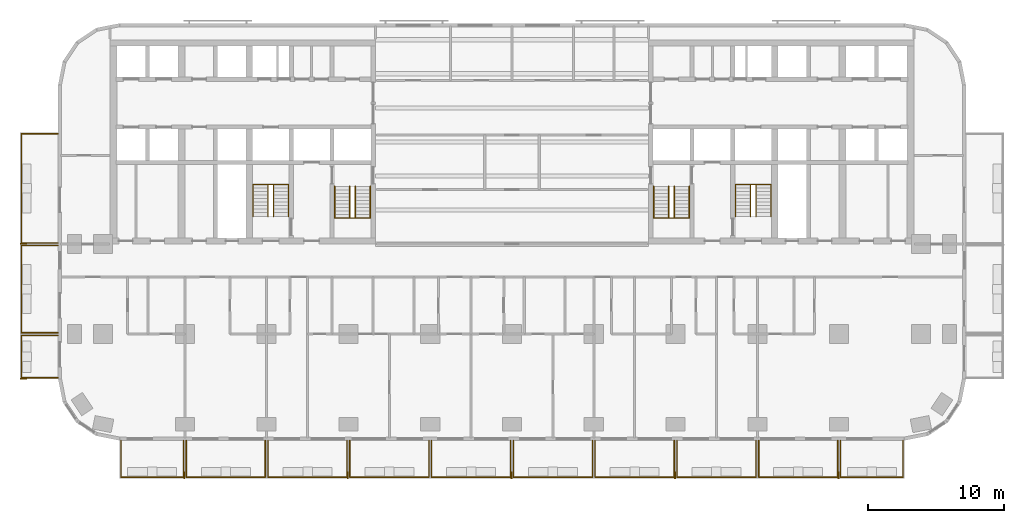
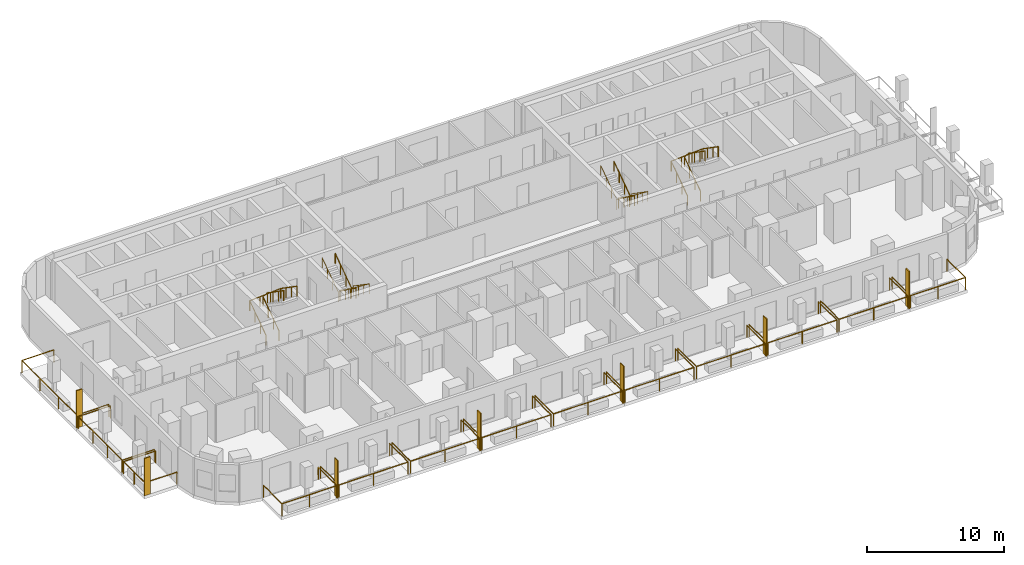
# One storey, part 11 of 13: 21 railings, 7 shading devices.
"""IFC4 building model written with IfcOpenShell, lengths in metres."""

from ifc_helpers import new_model, si_unit, direction, frame, origin, origin_2d, place, context, subcontext, project, spatial, rectangle, circle, extrude, material, layer, layer_set, type_object, element, save


model = new_model("IFC4")

# Units and contexts
model_context = context("Model", 3, precision=1e-05, world=origin(), true_north=direction((0.0, 1.0)))
body_context = subcontext(model_context, "Body", "Model", "MODEL_VIEW")
ifc_project = project(units=[si_unit("LENGTHUNIT", "METRE"), si_unit("AREAUNIT", "SQUARE_METRE"), si_unit("VOLUMEUNIT", "CUBIC_METRE"), si_unit("PLANEANGLEUNIT", "RADIAN"), si_unit("MASSUNIT", "GRAM", prefix="KILO")], contexts=[model_context])

# Site, building, storey
site_placement = place(None, origin())
site = spatial("IfcSite", under=ifc_project, at=site_placement, CompositionType="ELEMENT")
building_placement = place(site_placement, origin())
building = spatial("IfcBuilding", under=site, at=building_placement, Name="Torana Hotel and Residences", CompositionType="ELEMENT")
storey_placement = place(building_placement, frame((0.0, 0.0, 78.0)))
storey = spatial("IfcBuildingStorey", under=building, at=storey_placement, Name="L19", CompositionType="ELEMENT", Elevation=78.0)

# Shading devices
ifc_material_1 = material(Name="Black powder coated aluminium", Category="aluminium")
ifc_layer = layer(ifc_material_1, 0.080078125)
ifc_layer_set = layer_set([ifc_layer], Name="FN1 VERTICAL FIN 500x80")
shading_device_type = type_object("IfcShadingDeviceType", Name="FN1 VERTICAL FIN 500x80", PredefinedType="USERDEFINED", material=ifc_layer_set)
for number, where, z_axis, x_axis, name in (
    (1, (-24.0400390625, -31.949951171875, 0.0), (0.0, 0.0, 1.0), (-1.0, 0.0, 0.0), "Fin 01"),
    (2, (-12.0400390625, -31.949951171875, 0.0), (0.0, 0.0, 1.0), (-1.0, 0.0, 0.0), "Fin 03"),
    (3, (-0.0400390625, -31.949951171875, 0.0), (0.0, 0.0, 1.0), (-1.0, 0.0, 0.0), "Fin 05"),
    (4, (11.9599609375, -31.949951171875, 0.0), (0.0, 0.0, 1.0), (-1.0, 0.0, 0.0), "Fin 07"),
    (5, (23.9599609375, -31.949951171875, 0.0), (0.0, 0.0, 1.0), (-1.0, 0.0, 0.0), "Fin 09"),
    (6, (-35.85009765625, -24.860107421875, 0.0), (0.0, 0.0, 1.0), (0.0, 1.0, 0.0), "Fin 11"),
    (7, (-35.85009765625, -14.9599609375, 0.0), (0.0, 0.0, 1.0), (0.0, 1.0, 0.0), "Fin 13"),
):
    element("IfcShadingDevice", number, at=place(storey_placement, frame(where, z_axis=z_axis, x_axis=x_axis)), inside=storey, type_object=shading_device_type, Name=name, ObjectType="FIN", PredefinedType="USERDEFINED", context=body_context, shape_type="SweptSolid", body=[
        extrude(rectangle(XDim=0.080078125, YDim=0.5, at=origin_2d()), origin(), (0.0, 0.0, 1.0), 3.320068359375),
    ])

# Railings
ifc_material_2 = material(Name="Laminated glass balustrade with black handrail", Category="glass")
railing_type_1 = type_object("IfcRailingType", Name="GR1 BALCONY GUARD 1100 GLASS", PredefinedType="GUARDRAIL", material=ifc_material_2)
railing_1_placement = place(storey_placement, frame((-24.10009765625, -29.39990234375, 0.0)))
element("IfcRailing", 8, at=railing_1_placement, inside=storey, type_object=railing_type_1, Name="Balcony guard 01", PredefinedType="GUARDRAIL", context=body_context, shape_type="SweptSolid", body=[
    extrude(circle(Radius=0.02392578125, at=origin_2d()), frame((0.0, 0.0, 1.076171875), z_axis=(0.0, -1.0, 0.0), x_axis=(1.0, 0.0, 0.0)), (0.0, 0.0, 1.0), 2.7001953125),
    extrude(circle(Radius=0.02392578125, at=origin_2d()), frame((0.0, -2.7001953125, 1.076171875), z_axis=(-1.0, 0.0, 0.0), x_axis=(0.0, -1.0, 0.0)), (0.0, 0.0, 1.0), 4.599853515625),
    extrude(circle(Radius=0.02392578125, at=origin_2d()), frame((-4.599853515625, -2.7001953125, 1.076171875), z_axis=(0.0, 1.0, 0.0), x_axis=(-1.0, 0.0, 0.0)), (0.0, 0.0, 1.0), 2.7001953125),
    extrude(circle(Radius=0.02099609375, at=origin_2d()), origin(), (0.0, 0.0, 1.0), 1.052001953125),
    extrude(circle(Radius=0.02099609375, at=origin_2d()), frame((0.0, -2.7001953125, 0.0)), (0.0, 0.0, 1.0), 1.052001953125),
    extrude(circle(Radius=0.02099609375, at=origin_2d()), frame((-2.2998046875, -2.7001953125, 0.0)), (0.0, 0.0, 1.0), 1.052001953125),
    extrude(circle(Radius=0.02099609375, at=origin_2d()), frame((-4.599853515625, -2.7001953125, 0.0)), (0.0, 0.0, 1.0), 1.052001953125),
    extrude(circle(Radius=0.02099609375, at=origin_2d()), frame((-4.599853515625, 0.0, 0.0)), (0.0, 0.0, 1.0), 1.052001953125),
])
for number, where, name in (
    (9, (-18.10009765625, -29.39990234375, 0.0), "Balcony guard 02"),
    (10, (-12.10009765625, -29.39990234375, 0.0), "Balcony guard 03"),
    (11, (-6.10009765625, -29.39990234375, 0.0), "Balcony guard 04"),
    (12, (-0.10009765625, -29.39990234375, 0.0), "Balcony guard 05"),
    (13, (5.89990234375, -29.39990234375, 0.0), "Balcony guard 06"),
    (14, (11.89990234375, -29.39990234375, 0.0), "Balcony guard 07"),
    (15, (17.89990234375, -29.39990234375, 0.0), "Balcony guard 08"),
    (16, (23.89990234375, -29.39990234375, 0.0), "Balcony guard 09"),
):
    element("IfcRailing", number, at=place(storey_placement, frame(where)), inside=storey, type_object=railing_type_1, Name=name, PredefinedType="GUARDRAIL", context=body_context, shape_type="SweptSolid", body=[
        extrude(circle(Radius=0.02392578125, at=origin_2d()), frame((0.0, 0.0, 1.076171875), z_axis=(0.0, -1.0, 0.0), x_axis=(1.0, 0.0, 0.0)), (0.0, 0.0, 1.0), 2.7001953125),
        extrude(circle(Radius=0.02392578125, at=origin_2d()), frame((0.0, -2.7001953125, 1.076171875), z_axis=(-1.0, 0.0, 0.0), x_axis=(0.0, -1.0, 0.0)), (0.0, 0.0, 1.0), 5.7998046875),
        extrude(circle(Radius=0.02392578125, at=origin_2d()), frame((-5.7998046875, -2.7001953125, 1.076171875), z_axis=(0.0, 1.0, 0.0), x_axis=(-1.0, 0.0, 0.0)), (0.0, 0.0, 1.0), 2.7001953125),
        extrude(circle(Radius=0.02099609375, at=origin_2d()), origin(), (0.0, 0.0, 1.0), 1.052001953125),
        extrude(circle(Radius=0.02099609375, at=origin_2d()), frame((0.0, -2.7001953125, 0.0)), (0.0, 0.0, 1.0), 1.052001953125),
        extrude(circle(Radius=0.02099609375, at=origin_2d()), frame((-2.89990234375, -2.7001953125, 0.0)), (0.0, 0.0, 1.0), 1.052001953125),
        extrude(circle(Radius=0.02099609375, at=origin_2d()), frame((-5.7998046875, -2.7001953125, 0.0)), (0.0, 0.0, 1.0), 1.052001953125),
        extrude(circle(Radius=0.02099609375, at=origin_2d()), frame((-5.7998046875, 0.0, 0.0)), (0.0, 0.0, 1.0), 1.052001953125),
    ])
railing_2_placement = place(storey_placement, frame((28.699951171875, -29.39990234375, 0.0)))
element("IfcRailing", 17, at=railing_2_placement, inside=storey, type_object=railing_type_1, Name="Balcony guard 10", PredefinedType="GUARDRAIL", context=body_context, shape_type="SweptSolid", body=[
    extrude(circle(Radius=0.02392578125, at=origin_2d()), frame((0.0, 0.0, 1.076171875), z_axis=(0.0, -1.0, 0.0), x_axis=(1.0, 0.0, 0.0)), (0.0, 0.0, 1.0), 2.7001953125),
    extrude(circle(Radius=0.02392578125, at=origin_2d()), frame((0.0, -2.7001953125, 1.076171875), z_axis=(-1.0, 0.0, 0.0), x_axis=(0.0, -1.0, 0.0)), (0.0, 0.0, 1.0), 4.599853515625),
    extrude(circle(Radius=0.02392578125, at=origin_2d()), frame((-4.599853515625, -2.7001953125, 1.076171875), z_axis=(0.0, 1.0, 0.0), x_axis=(-1.0, 0.0, 0.0)), (0.0, 0.0, 1.0), 2.7001953125),
    extrude(circle(Radius=0.02099609375, at=origin_2d()), origin(), (0.0, 0.0, 1.0), 1.052001953125),
    extrude(circle(Radius=0.02099609375, at=origin_2d()), frame((0.0, -2.7001953125, 0.0)), (0.0, 0.0, 1.0), 1.052001953125),
    extrude(circle(Radius=0.02099609375, at=origin_2d()), frame((-2.2998046875, -2.7001953125, 0.0)), (0.0, 0.0, 1.0), 1.052001953125),
    extrude(circle(Radius=0.02099609375, at=origin_2d()), frame((-4.599853515625, -2.7001953125, 0.0)), (0.0, 0.0, 1.0), 1.052001953125),
    extrude(circle(Radius=0.02099609375, at=origin_2d()), frame((-4.599853515625, 0.0, 0.0)), (0.0, 0.0, 1.0), 1.052001953125),
])
railing_3_placement = place(storey_placement, frame((-33.300048828125, -24.800048828125, 0.0)))
element("IfcRailing", 18, at=railing_3_placement, inside=storey, type_object=railing_type_1, Name="Balcony guard 11", PredefinedType="GUARDRAIL", context=body_context, shape_type="SweptSolid", body=[
    extrude(circle(Radius=0.02392578125, at=origin_2d()), frame((0.0, 0.0, 1.076171875), z_axis=(-1.0, 0.0, 0.0), x_axis=(0.0, -1.0, 0.0)), (0.0, 0.0, 1.0), 2.699951171875),
    extrude(circle(Radius=0.02392578125, at=origin_2d()), frame((-2.699951171875, 0.0, 1.076171875), z_axis=(0.0, 1.0, 0.0), x_axis=(-1.0, 0.0, 0.0)), (0.0, 0.0, 1.0), 3.10009765625),
    extrude(circle(Radius=0.02392578125, at=origin_2d()), frame((-2.699951171875, 3.10009765625, 1.076171875), z_axis=(1.0, 0.0, 0.0), x_axis=(0.0, 1.0, 0.0)), (0.0, 0.0, 1.0), 2.699951171875),
    extrude(circle(Radius=0.02099609375, at=origin_2d()), origin(), (0.0, 0.0, 1.0), 1.052001953125),
    extrude(circle(Radius=0.02099609375, at=origin_2d()), frame((-2.699951171875, 0.0, 0.0)), (0.0, 0.0, 1.0), 1.052001953125),
    extrude(circle(Radius=0.02099609375, at=origin_2d()), frame((-2.699951171875, 1.550048828125, 0.0)), (0.0, 0.0, 1.0), 1.052001953125),
    extrude(circle(Radius=0.02099609375, at=origin_2d()), frame((-2.699951171875, 3.10009765625, 0.0)), (0.0, 0.0, 1.0), 1.052001953125),
    extrude(circle(Radius=0.02099609375, at=origin_2d()), frame((0.0, 3.10009765625, 0.0)), (0.0, 0.0, 1.0), 1.052001953125),
])
railing_4_placement = place(storey_placement, frame((-33.300048828125, -21.5, 0.0)))
element("IfcRailing", 19, at=railing_4_placement, inside=storey, type_object=railing_type_1, Name="Balcony guard 12", PredefinedType="GUARDRAIL", context=body_context, shape_type="SweptSolid", body=[
    extrude(circle(Radius=0.02392578125, at=origin_2d()), frame((0.0, 0.0, 1.076171875), z_axis=(-1.0, 0.0, 0.0), x_axis=(0.0, -1.0, 0.0)), (0.0, 0.0, 1.0), 2.699951171875),
    extrude(circle(Radius=0.02392578125, at=origin_2d()), frame((-2.699951171875, 0.0, 1.076171875), z_axis=(0.0, 1.0, 0.0), x_axis=(-1.0, 0.0, 0.0)), (0.0, 0.0, 1.0), 6.39990234375),
    extrude(circle(Radius=0.02392578125, at=origin_2d()), frame((-2.699951171875, 6.39990234375, 1.076171875), z_axis=(1.0, 0.0, 0.0), x_axis=(0.0, 1.0, 0.0)), (0.0, 0.0, 1.0), 2.699951171875),
    extrude(circle(Radius=0.02099609375, at=origin_2d()), origin(), (0.0, 0.0, 1.0), 1.052001953125),
    extrude(circle(Radius=0.02099609375, at=origin_2d()), frame((-2.699951171875, 0.0, 0.0)), (0.0, 0.0, 1.0), 1.052001953125),
    extrude(circle(Radius=0.02099609375, at=origin_2d()), frame((-2.699951171875, 2.13330078125, 0.0)), (0.0, 0.0, 1.0), 1.052001953125),
    extrude(circle(Radius=0.02099609375, at=origin_2d()), frame((-2.699951171875, 4.2666015625, 0.0)), (0.0, 0.0, 1.0), 1.052001953125),
    extrude(circle(Radius=0.02099609375, at=origin_2d()), frame((-2.699951171875, 6.39990234375, 0.0)), (0.0, 0.0, 1.0), 1.052001953125),
    extrude(circle(Radius=0.02099609375, at=origin_2d()), frame((0.0, 6.39990234375, 0.0)), (0.0, 0.0, 1.0), 1.052001953125),
])
railing_5_placement = place(storey_placement, frame((-33.300048828125, -14.89990234375, 0.0)))
element("IfcRailing", 20, at=railing_5_placement, inside=storey, type_object=railing_type_1, Name="Balcony guard 13", PredefinedType="GUARDRAIL", context=body_context, shape_type="SweptSolid", body=[
    extrude(circle(Radius=0.02392578125, at=origin_2d()), frame((0.0, 0.0, 1.076171875), z_axis=(-1.0, 0.0, 0.0), x_axis=(0.0, -1.0, 0.0)), (0.0, 0.0, 1.0), 2.699951171875),
    extrude(circle(Radius=0.02392578125, at=origin_2d()), frame((-2.699951171875, 0.0, 1.076171875), z_axis=(0.0, 1.0, 0.0), x_axis=(-1.0, 0.0, 0.0)), (0.0, 0.0, 1.0), 8.0),
    extrude(circle(Radius=0.02392578125, at=origin_2d()), frame((-2.699951171875, 8.0, 1.076171875), z_axis=(1.0, 0.0, 0.0), x_axis=(0.0, 1.0, 0.0)), (0.0, 0.0, 1.0), 2.699951171875),
    extrude(circle(Radius=0.02099609375, at=origin_2d()), origin(), (0.0, 0.0, 1.0), 1.052001953125),
    extrude(circle(Radius=0.02099609375, at=origin_2d()), frame((-2.699951171875, 0.0, 0.0)), (0.0, 0.0, 1.0), 1.052001953125),
    extrude(circle(Radius=0.02099609375, at=origin_2d()), frame((-2.699951171875, 2.666748046875, 0.0)), (0.0, 0.0, 1.0), 1.052001953125),
    extrude(circle(Radius=0.02099609375, at=origin_2d()), frame((-2.699951171875, 5.333251953125, 0.0)), (0.0, 0.0, 1.0), 1.052001953125),
    extrude(circle(Radius=0.02099609375, at=origin_2d()), frame((-2.699951171875, 8.0, 0.0)), (0.0, 0.0, 1.0), 1.052001953125),
    extrude(circle(Radius=0.02099609375, at=origin_2d()), frame((0.0, 8.0, 0.0)), (0.0, 0.0, 1.0), 1.052001953125),
])
ifc_material_3 = material(Name="Stainless steel 316", Category="steel")
railing_type_2 = type_object("IfcRailingType", Name="STAIR HANDRAIL HR1 900", PredefinedType="HANDRAIL", material=ifc_material_3)
railing_6_placement = place(storey_placement, frame((-10.39990234375, -10.75, 0.179931640625)))
element("IfcRailing", 21, at=railing_6_placement, inside=storey, type_object=railing_type_2, Name="Handrail ST1 L19 O1", PredefinedType="HANDRAIL", context=body_context, shape_type="SweptSolid", body=[
    extrude(circle(Radius=0.02392578125, at=origin_2d()), frame((0.0, 0.0, 0.8759765625), z_axis=(0.0, -0.822182927502, 0.569223360136), x_axis=(1.0, 0.0, 0.0)), (0.0, 0.0, 1.0), 2.84619140625),
    extrude(circle(Radius=0.02392578125, at=origin_2d()), frame((0.0, -2.340087890625, 2.49609375), z_axis=(-0.997614115953, 0.0, 0.069036770278), x_axis=(0.0, -1.0, 0.0)), (0.0, 0.0, 1.0), 2.606201171875),
    extrude(circle(Radius=0.02392578125, at=origin_2d()), frame((-2.60009765625, -2.340087890625, 2.67578125), z_axis=(0.0, 0.822182927502, 0.569223360136), x_axis=(-1.0, 0.0, 0.0)), (0.0, 0.0, 1.0), 2.84619140625),
    extrude(circle(Radius=0.02099609375, at=origin_2d()), origin(), (0.0, 0.0, 1.0), 0.851806640625),
    extrude(circle(Radius=0.02099609375, at=origin_2d()), frame((0.0, -0.780029296875, 0.5400390625)), (0.0, 0.0, 1.0), 0.851806640625),
    extrude(circle(Radius=0.02099609375, at=origin_2d()), frame((0.0, -1.56005859375, 1.080078125)), (0.0, 0.0, 1.0), 0.851806640625),
    extrude(circle(Radius=0.02099609375, at=origin_2d()), frame((0.0, -2.340087890625, 1.6201171875)), (0.0, 0.0, 1.0), 0.851806640625),
    extrude(circle(Radius=0.02099609375, at=origin_2d()), frame((-0.86669921875, -2.340087890625, 1.68017578125)), (0.0, 0.0, 1.0), 0.851806640625),
    extrude(circle(Radius=0.02099609375, at=origin_2d()), frame((-1.7333984375, -2.340087890625, 1.739990234375)), (0.0, 0.0, 1.0), 0.851806640625),
    extrude(circle(Radius=0.02099609375, at=origin_2d()), frame((-2.60009765625, -2.340087890625, 1.800048828125)), (0.0, 0.0, 1.0), 0.851806640625),
    extrude(circle(Radius=0.02099609375, at=origin_2d()), frame((-2.60009765625, -1.56005859375, 2.340087890625)), (0.0, 0.0, 1.0), 0.851806640625),
    extrude(circle(Radius=0.02099609375, at=origin_2d()), frame((-2.60009765625, -0.780029296875, 2.880126953125)), (0.0, 0.0, 1.0), 0.851806640625),
    extrude(circle(Radius=0.02099609375, at=origin_2d()), frame((-2.60009765625, 0.0, 3.420166015625)), (0.0, 0.0, 1.0), 0.851806640625),
])
railing_7_placement = place(storey_placement, frame((-11.5, -10.75, 0.179931640625)))
element("IfcRailing", 22, at=railing_7_placement, inside=storey, type_object=railing_type_2, Name="Handrail ST1 L19 I1", PredefinedType="HANDRAIL", context=body_context, shape_type="SweptSolid", body=[
    extrude(circle(Radius=0.02392578125, at=origin_2d()), frame((0.0, 0.0, 0.8759765625), z_axis=(0.0, -0.822182927502, 0.569223360136), x_axis=(1.0, 0.0, 0.0)), (0.0, 0.0, 1.0), 2.84619140625),
    extrude(circle(Radius=0.02392578125, at=origin_2d()), frame((0.0, -2.340087890625, 2.49609375), z_axis=(-0.911942338396, 0.0, 0.410318378143), x_axis=(0.0, -1.0, 0.0)), (0.0, 0.0, 1.0), 0.4384765625),
    extrude(circle(Radius=0.02392578125, at=origin_2d()), frame((-0.39990234375, -2.340087890625, 2.67578125), z_axis=(0.0, 0.822182927502, 0.569223360136), x_axis=(-1.0, 0.0, 0.0)), (0.0, 0.0, 1.0), 2.84619140625),
    extrude(circle(Radius=0.02099609375, at=origin_2d()), origin(), (0.0, 0.0, 1.0), 0.851806640625),
    extrude(circle(Radius=0.02099609375, at=origin_2d()), frame((0.0, -0.780029296875, 0.5400390625)), (0.0, 0.0, 1.0), 0.851806640625),
    extrude(circle(Radius=0.02099609375, at=origin_2d()), frame((0.0, -1.56005859375, 1.080078125)), (0.0, 0.0, 1.0), 0.851806640625),
    extrude(circle(Radius=0.02099609375, at=origin_2d()), frame((0.0, -2.340087890625, 1.6201171875)), (0.0, 0.0, 1.0), 0.851806640625),
    extrude(circle(Radius=0.02099609375, at=origin_2d()), frame((-0.39990234375, -2.340087890625, 1.800048828125)), (0.0, 0.0, 1.0), 0.851806640625),
    extrude(circle(Radius=0.02099609375, at=origin_2d()), frame((-0.39990234375, -1.56005859375, 2.340087890625)), (0.0, 0.0, 1.0), 0.851806640625),
    extrude(circle(Radius=0.02099609375, at=origin_2d()), frame((-0.39990234375, -0.780029296875, 2.880126953125)), (0.0, 0.0, 1.0), 0.851806640625),
    extrude(circle(Radius=0.02099609375, at=origin_2d()), frame((-0.39990234375, 0.0, 3.420166015625)), (0.0, 0.0, 1.0), 0.851806640625),
])
railing_8_placement = place(storey_placement, frame((-19.0, -12.949951171875, 0.179931640625)))
element("IfcRailing", 23, at=railing_8_placement, inside=storey, type_object=railing_type_2, Name="Handrail ST2 L19 O1", PredefinedType="HANDRAIL", context=body_context, shape_type="SweptSolid", body=[
    extrude(circle(Radius=0.02392578125, at=origin_2d()), frame((0.0, 0.0, 0.8759765625), z_axis=(0.0, 0.822155131156, 0.569263506923), x_axis=(-1.0, 0.0, 0.0)), (0.0, 0.0, 1.0), 2.845947265625),
    extrude(circle(Radius=0.02392578125, at=origin_2d()), frame((0.0, 2.33984375, 2.49609375), z_axis=(0.997614115953, 0.0, 0.069036770278), x_axis=(0.0, 1.0, 0.0)), (0.0, 0.0, 1.0), 2.606201171875),
    extrude(circle(Radius=0.02392578125, at=origin_2d()), frame((2.60009765625, 2.33984375, 2.67578125), z_axis=(0.0, -0.822155131156, 0.569263506923), x_axis=(1.0, 0.0, 0.0)), (0.0, 0.0, 1.0), 2.845947265625),
    extrude(circle(Radius=0.02099609375, at=origin_2d()), origin(), (0.0, 0.0, 1.0), 0.851806640625),
    extrude(circle(Radius=0.02099609375, at=origin_2d()), frame((0.0, 0.780029296875, 0.5400390625)), (0.0, 0.0, 1.0), 0.851806640625),
    extrude(circle(Radius=0.02099609375, at=origin_2d()), frame((0.0, 1.559814453125, 1.080078125)), (0.0, 0.0, 1.0), 0.851806640625),
    extrude(circle(Radius=0.02099609375, at=origin_2d()), frame((0.0, 2.33984375, 1.6201171875)), (0.0, 0.0, 1.0), 0.851806640625),
    extrude(circle(Radius=0.02099609375, at=origin_2d()), frame((0.86669921875, 2.33984375, 1.68017578125)), (0.0, 0.0, 1.0), 0.851806640625),
    extrude(circle(Radius=0.02099609375, at=origin_2d()), frame((1.7333984375, 2.33984375, 1.739990234375)), (0.0, 0.0, 1.0), 0.851806640625),
    extrude(circle(Radius=0.02099609375, at=origin_2d()), frame((2.60009765625, 2.33984375, 1.800048828125)), (0.0, 0.0, 1.0), 0.851806640625),
    extrude(circle(Radius=0.02099609375, at=origin_2d()), frame((2.60009765625, 1.559814453125, 2.340087890625)), (0.0, 0.0, 1.0), 0.851806640625),
    extrude(circle(Radius=0.02099609375, at=origin_2d()), frame((2.60009765625, 0.780029296875, 2.880126953125)), (0.0, 0.0, 1.0), 0.851806640625),
    extrude(circle(Radius=0.02099609375, at=origin_2d()), frame((2.60009765625, 0.0, 3.420166015625)), (0.0, 0.0, 1.0), 0.851806640625),
])
railing_9_placement = place(storey_placement, frame((-17.89990234375, -12.949951171875, 0.179931640625)))
element("IfcRailing", 24, at=railing_9_placement, inside=storey, type_object=railing_type_2, Name="Handrail ST2 L19 I1", PredefinedType="HANDRAIL", context=body_context, shape_type="SweptSolid", body=[
    extrude(circle(Radius=0.02392578125, at=origin_2d()), frame((0.0, 0.0, 0.8759765625), z_axis=(0.0, 0.822155131156, 0.569263506923), x_axis=(-1.0, 0.0, 0.0)), (0.0, 0.0, 1.0), 2.845947265625),
    extrude(circle(Radius=0.02392578125, at=origin_2d()), frame((0.0, 2.33984375, 2.49609375), z_axis=(0.911942338396, 0.0, 0.410318378143), x_axis=(0.0, 1.0, 0.0)), (0.0, 0.0, 1.0), 0.4384765625),
    extrude(circle(Radius=0.02392578125, at=origin_2d()), frame((0.39990234375, 2.33984375, 2.67578125), z_axis=(0.0, -0.822155131156, 0.569263506923), x_axis=(1.0, 0.0, 0.0)), (0.0, 0.0, 1.0), 2.845947265625),
    extrude(circle(Radius=0.02099609375, at=origin_2d()), origin(), (0.0, 0.0, 1.0), 0.851806640625),
    extrude(circle(Radius=0.02099609375, at=origin_2d()), frame((0.0, 0.780029296875, 0.5400390625)), (0.0, 0.0, 1.0), 0.851806640625),
    extrude(circle(Radius=0.02099609375, at=origin_2d()), frame((0.0, 1.559814453125, 1.080078125)), (0.0, 0.0, 1.0), 0.851806640625),
    extrude(circle(Radius=0.02099609375, at=origin_2d()), frame((0.0, 2.33984375, 1.6201171875)), (0.0, 0.0, 1.0), 0.851806640625),
    extrude(circle(Radius=0.02099609375, at=origin_2d()), frame((0.39990234375, 2.33984375, 1.800048828125)), (0.0, 0.0, 1.0), 0.851806640625),
    extrude(circle(Radius=0.02099609375, at=origin_2d()), frame((0.39990234375, 1.559814453125, 2.340087890625)), (0.0, 0.0, 1.0), 0.851806640625),
    extrude(circle(Radius=0.02099609375, at=origin_2d()), frame((0.39990234375, 0.780029296875, 2.880126953125)), (0.0, 0.0, 1.0), 0.851806640625),
    extrude(circle(Radius=0.02099609375, at=origin_2d()), frame((0.39990234375, 0.0, 3.420166015625)), (0.0, 0.0, 1.0), 0.851806640625),
])
railing_10_placement = place(storey_placement, frame((13.0, -10.75, 0.179931640625)))
element("IfcRailing", 25, at=railing_10_placement, inside=storey, type_object=railing_type_2, Name="Handrail ST3 L19 O1", PredefinedType="HANDRAIL", context=body_context, shape_type="SweptSolid", body=[
    extrude(circle(Radius=0.02392578125, at=origin_2d()), frame((0.0, 0.0, 0.8759765625), z_axis=(0.0, -0.822182927502, 0.569223360136), x_axis=(1.0, 0.0, 0.0)), (0.0, 0.0, 1.0), 2.84619140625),
    extrude(circle(Radius=0.02392578125, at=origin_2d()), frame((0.0, -2.340087890625, 2.49609375), z_axis=(-0.997614115953, 0.0, 0.069036770278), x_axis=(0.0, -1.0, 0.0)), (0.0, 0.0, 1.0), 2.606201171875),
    extrude(circle(Radius=0.02392578125, at=origin_2d()), frame((-2.60009765625, -2.340087890625, 2.67578125), z_axis=(0.0, 0.822182927502, 0.569223360136), x_axis=(-1.0, 0.0, 0.0)), (0.0, 0.0, 1.0), 2.84619140625),
    extrude(circle(Radius=0.02099609375, at=origin_2d()), origin(), (0.0, 0.0, 1.0), 0.851806640625),
    extrude(circle(Radius=0.02099609375, at=origin_2d()), frame((0.0, -0.780029296875, 0.5400390625)), (0.0, 0.0, 1.0), 0.851806640625),
    extrude(circle(Radius=0.02099609375, at=origin_2d()), frame((0.0, -1.56005859375, 1.080078125)), (0.0, 0.0, 1.0), 0.851806640625),
    extrude(circle(Radius=0.02099609375, at=origin_2d()), frame((0.0, -2.340087890625, 1.6201171875)), (0.0, 0.0, 1.0), 0.851806640625),
    extrude(circle(Radius=0.02099609375, at=origin_2d()), frame((-0.86669921875, -2.340087890625, 1.68017578125)), (0.0, 0.0, 1.0), 0.851806640625),
    extrude(circle(Radius=0.02099609375, at=origin_2d()), frame((-1.7333984375, -2.340087890625, 1.739990234375)), (0.0, 0.0, 1.0), 0.851806640625),
    extrude(circle(Radius=0.02099609375, at=origin_2d()), frame((-2.60009765625, -2.340087890625, 1.800048828125)), (0.0, 0.0, 1.0), 0.851806640625),
    extrude(circle(Radius=0.02099609375, at=origin_2d()), frame((-2.60009765625, -1.56005859375, 2.340087890625)), (0.0, 0.0, 1.0), 0.851806640625),
    extrude(circle(Radius=0.02099609375, at=origin_2d()), frame((-2.60009765625, -0.780029296875, 2.880126953125)), (0.0, 0.0, 1.0), 0.851806640625),
    extrude(circle(Radius=0.02099609375, at=origin_2d()), frame((-2.60009765625, 0.0, 3.420166015625)), (0.0, 0.0, 1.0), 0.851806640625),
])
railing_11_placement = place(storey_placement, frame((11.89990234375, -10.75, 0.179931640625)))
element("IfcRailing", 26, at=railing_11_placement, inside=storey, type_object=railing_type_2, Name="Handrail ST3 L19 I1", PredefinedType="HANDRAIL", context=body_context, shape_type="SweptSolid", body=[
    extrude(circle(Radius=0.02392578125, at=origin_2d()), frame((0.0, 0.0, 0.8759765625), z_axis=(0.0, -0.822182927502, 0.569223360136), x_axis=(1.0, 0.0, 0.0)), (0.0, 0.0, 1.0), 2.84619140625),
    extrude(circle(Radius=0.02392578125, at=origin_2d()), frame((0.0, -2.340087890625, 2.49609375), z_axis=(-0.911942338396, 0.0, 0.410318378143), x_axis=(0.0, -1.0, 0.0)), (0.0, 0.0, 1.0), 0.4384765625),
    extrude(circle(Radius=0.02392578125, at=origin_2d()), frame((-0.39990234375, -2.340087890625, 2.67578125), z_axis=(0.0, 0.822182927502, 0.569223360136), x_axis=(-1.0, 0.0, 0.0)), (0.0, 0.0, 1.0), 2.84619140625),
    extrude(circle(Radius=0.02099609375, at=origin_2d()), origin(), (0.0, 0.0, 1.0), 0.851806640625),
    extrude(circle(Radius=0.02099609375, at=origin_2d()), frame((0.0, -0.780029296875, 0.5400390625)), (0.0, 0.0, 1.0), 0.851806640625),
    extrude(circle(Radius=0.02099609375, at=origin_2d()), frame((0.0, -1.56005859375, 1.080078125)), (0.0, 0.0, 1.0), 0.851806640625),
    extrude(circle(Radius=0.02099609375, at=origin_2d()), frame((0.0, -2.340087890625, 1.6201171875)), (0.0, 0.0, 1.0), 0.851806640625),
    extrude(circle(Radius=0.02099609375, at=origin_2d()), frame((-0.39990234375, -2.340087890625, 1.800048828125)), (0.0, 0.0, 1.0), 0.851806640625),
    extrude(circle(Radius=0.02099609375, at=origin_2d()), frame((-0.39990234375, -1.56005859375, 2.340087890625)), (0.0, 0.0, 1.0), 0.851806640625),
    extrude(circle(Radius=0.02099609375, at=origin_2d()), frame((-0.39990234375, -0.780029296875, 2.880126953125)), (0.0, 0.0, 1.0), 0.851806640625),
    extrude(circle(Radius=0.02099609375, at=origin_2d()), frame((-0.39990234375, 0.0, 3.420166015625)), (0.0, 0.0, 1.0), 0.851806640625),
])
railing_12_placement = place(storey_placement, frame((16.39990234375, -12.949951171875, 0.179931640625)))
element("IfcRailing", 27, at=railing_12_placement, inside=storey, type_object=railing_type_2, Name="Handrail ST4 L19 O1", PredefinedType="HANDRAIL", context=body_context, shape_type="SweptSolid", body=[
    extrude(circle(Radius=0.02392578125, at=origin_2d()), frame((0.0, 0.0, 0.8759765625), z_axis=(0.0, 0.822155131156, 0.569263506923), x_axis=(-1.0, 0.0, 0.0)), (0.0, 0.0, 1.0), 2.845947265625),
    extrude(circle(Radius=0.02392578125, at=origin_2d()), frame((0.0, 2.33984375, 2.49609375), z_axis=(0.997614115953, 0.0, 0.069036770278), x_axis=(0.0, 1.0, 0.0)), (0.0, 0.0, 1.0), 2.606201171875),
    extrude(circle(Radius=0.02392578125, at=origin_2d()), frame((2.60009765625, 2.33984375, 2.67578125), z_axis=(0.0, -0.822155131156, 0.569263506923), x_axis=(1.0, 0.0, 0.0)), (0.0, 0.0, 1.0), 2.845947265625),
    extrude(circle(Radius=0.02099609375, at=origin_2d()), origin(), (0.0, 0.0, 1.0), 0.851806640625),
    extrude(circle(Radius=0.02099609375, at=origin_2d()), frame((0.0, 0.780029296875, 0.5400390625)), (0.0, 0.0, 1.0), 0.851806640625),
    extrude(circle(Radius=0.02099609375, at=origin_2d()), frame((0.0, 1.559814453125, 1.080078125)), (0.0, 0.0, 1.0), 0.851806640625),
    extrude(circle(Radius=0.02099609375, at=origin_2d()), frame((0.0, 2.33984375, 1.6201171875)), (0.0, 0.0, 1.0), 0.851806640625),
    extrude(circle(Radius=0.02099609375, at=origin_2d()), frame((0.86669921875, 2.33984375, 1.68017578125)), (0.0, 0.0, 1.0), 0.851806640625),
    extrude(circle(Radius=0.02099609375, at=origin_2d()), frame((1.7333984375, 2.33984375, 1.739990234375)), (0.0, 0.0, 1.0), 0.851806640625),
    extrude(circle(Radius=0.02099609375, at=origin_2d()), frame((2.60009765625, 2.33984375, 1.800048828125)), (0.0, 0.0, 1.0), 0.851806640625),
    extrude(circle(Radius=0.02099609375, at=origin_2d()), frame((2.60009765625, 1.559814453125, 2.340087890625)), (0.0, 0.0, 1.0), 0.851806640625),
    extrude(circle(Radius=0.02099609375, at=origin_2d()), frame((2.60009765625, 0.780029296875, 2.880126953125)), (0.0, 0.0, 1.0), 0.851806640625),
    extrude(circle(Radius=0.02099609375, at=origin_2d()), frame((2.60009765625, 0.0, 3.420166015625)), (0.0, 0.0, 1.0), 0.851806640625),
])
railing_13_placement = place(storey_placement, frame((17.5, -12.949951171875, 0.179931640625)))
element("IfcRailing", 28, at=railing_13_placement, inside=storey, type_object=railing_type_2, Name="Handrail ST4 L19 I1", PredefinedType="HANDRAIL", context=body_context, shape_type="SweptSolid", body=[
    extrude(circle(Radius=0.02392578125, at=origin_2d()), frame((0.0, 0.0, 0.8759765625), z_axis=(0.0, 0.822155131156, 0.569263506923), x_axis=(-1.0, 0.0, 0.0)), (0.0, 0.0, 1.0), 2.845947265625),
    extrude(circle(Radius=0.02392578125, at=origin_2d()), frame((0.0, 2.33984375, 2.49609375), z_axis=(0.911942338396, 0.0, 0.410318378143), x_axis=(0.0, 1.0, 0.0)), (0.0, 0.0, 1.0), 0.4384765625),
    extrude(circle(Radius=0.02392578125, at=origin_2d()), frame((0.39990234375, 2.33984375, 2.67578125), z_axis=(0.0, -0.822155131156, 0.569263506923), x_axis=(1.0, 0.0, 0.0)), (0.0, 0.0, 1.0), 2.845947265625),
    extrude(circle(Radius=0.02099609375, at=origin_2d()), origin(), (0.0, 0.0, 1.0), 0.851806640625),
    extrude(circle(Radius=0.02099609375, at=origin_2d()), frame((0.0, 0.780029296875, 0.5400390625)), (0.0, 0.0, 1.0), 0.851806640625),
    extrude(circle(Radius=0.02099609375, at=origin_2d()), frame((0.0, 1.559814453125, 1.080078125)), (0.0, 0.0, 1.0), 0.851806640625),
    extrude(circle(Radius=0.02099609375, at=origin_2d()), frame((0.0, 2.33984375, 1.6201171875)), (0.0, 0.0, 1.0), 0.851806640625),
    extrude(circle(Radius=0.02099609375, at=origin_2d()), frame((0.39990234375, 2.33984375, 1.800048828125)), (0.0, 0.0, 1.0), 0.851806640625),
    extrude(circle(Radius=0.02099609375, at=origin_2d()), frame((0.39990234375, 1.559814453125, 2.340087890625)), (0.0, 0.0, 1.0), 0.851806640625),
    extrude(circle(Radius=0.02099609375, at=origin_2d()), frame((0.39990234375, 0.780029296875, 2.880126953125)), (0.0, 0.0, 1.0), 0.851806640625),
    extrude(circle(Radius=0.02099609375, at=origin_2d()), frame((0.39990234375, 0.0, 3.420166015625)), (0.0, 0.0, 1.0), 0.851806640625),
])

save(model, "model.ifc")
